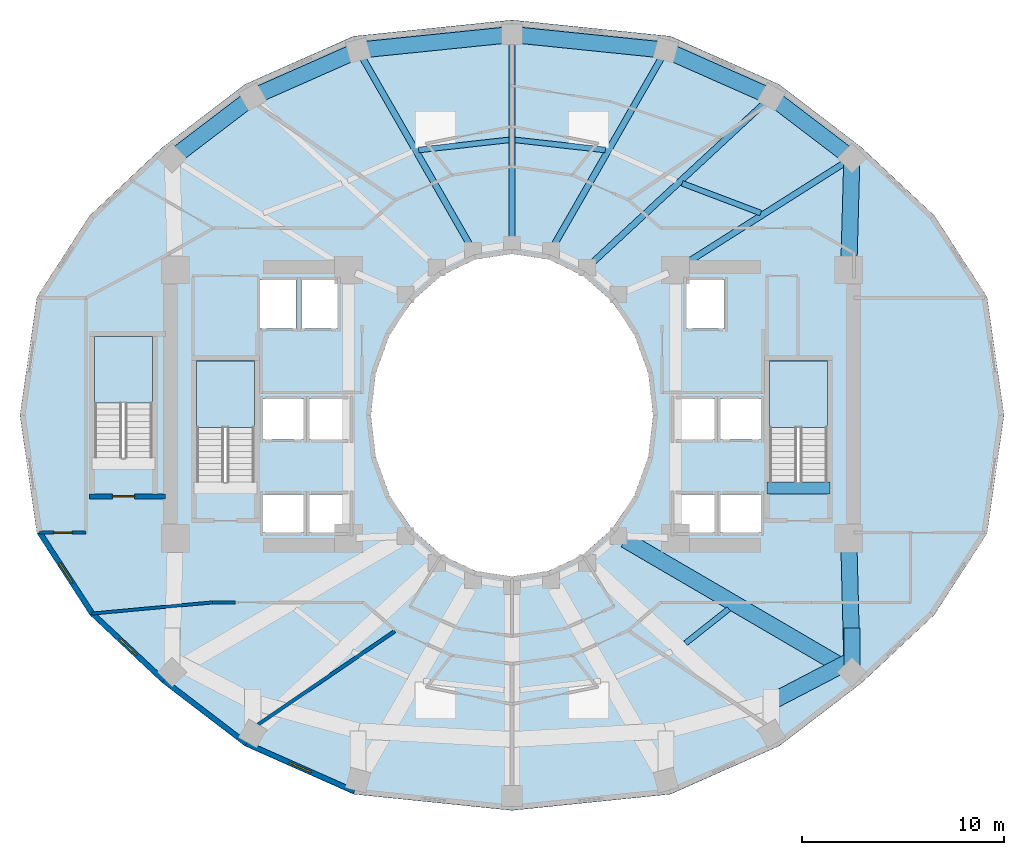
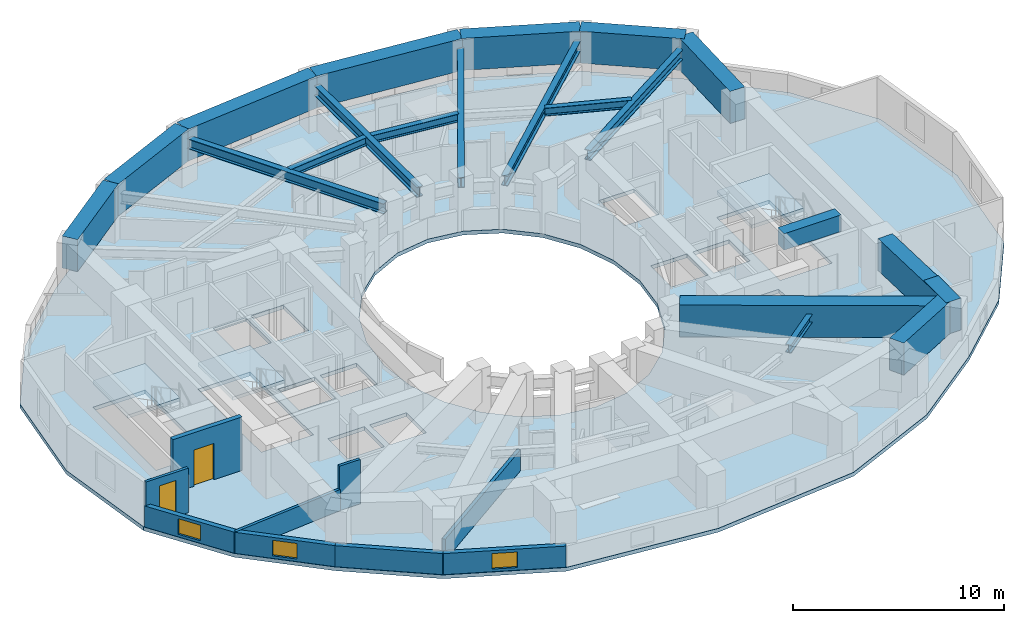
# One storey, part 2 of 9: 21 beams, 9 walls, 4 slabs, 3 windows, 2 doors, 5 openings, 3 elements without a shape of their own.
"""IFC4 building model written with IfcOpenShell, lengths in metres."""

from ifc_helpers import new_model, si_unit, direction, frame, frame_2d, origin, origin_2d, place, context, subcontext, project, spatial, polyline, rectangle, i_section, outline, extrude, material, layer, layer_set, material_profile, profile_set, type_object, element, fill, aggregate, save


model = new_model("IFC4")

# Units and contexts
model_context = context("Model", 3, precision=1e-05, world=origin(), true_north=direction((0.0, 1.0)))
body_context = subcontext(model_context, "Body", "Model", "MODEL_VIEW")
ifc_project = project(units=[si_unit("LENGTHUNIT", "METRE"), si_unit("AREAUNIT", "SQUARE_METRE"), si_unit("VOLUMEUNIT", "CUBIC_METRE"), si_unit("PLANEANGLEUNIT", "RADIAN"), si_unit("MASSUNIT", "GRAM", prefix="KILO")], contexts=[model_context])

# Site, building, storey
site_placement = place(None, origin())
site = spatial("IfcSite", under=ifc_project, at=site_placement, CompositionType="ELEMENT")
building_placement = place(site_placement, origin())
building = spatial("IfcBuilding", under=site, at=building_placement, Name="Solvane Sanctuary Tower", CompositionType="ELEMENT")
storey_placement = place(building_placement, frame((0.0, 0.0, 110.39990234375)))
storey = spatial("IfcBuildingStorey", under=building, at=storey_placement, Name="L33", CompositionType="ELEMENT", Elevation=110.39990234375)

# Beams
ifc_material_1 = material(Name="Concrete C70/85", Category="concrete")
ifc_material_profile_1 = material_profile(ifc_material_1, rectangle(XDim=0.60009765625, YDim=0.949951171875, at=origin_2d()), Name="RC600X950")
ifc_profile_set_1 = profile_set([ifc_material_profile_1], Name="Concrete C70/85")
beam_type_1 = type_object("IfcBeamType", Name="Beam B-COUPLE RC600X950", PredefinedType="LINTEL", material=ifc_profile_set_1)
beam_1_placement = place(storey_placement, frame((44.64990234375, 19.399169921875, 2.625), z_axis=(1.0, 0.0, 0.0), x_axis=(0.0, 1.0, 0.0)))
element("IfcBeam", 1, at=beam_1_placement, inside=storey, type_object=beam_type_1, Name="L33 ST-2 Stair Floor Landing Trimmer", PredefinedType="LINTEL", context=body_context, shape_type="SweptSolid", body=[
    extrude(rectangle(XDim=0.60009765625, YDim=0.949951171875, at=origin_2d()), origin(), (0.0, 0.0, 1.0), 3.1201171875),
])
ifc_material_2 = material(Name="Steel ASTM A992 Grade 50", Category="steel")
ifc_material_profile_2 = material_profile(ifc_material_2, i_section(OverallWidth=0.31494140625, OverallDepth=0.575927734375, WebThickness=0.01513671875, FlangeThickness=0.0244140625, FilletRadius=0.014892578125, at=origin_2d()), Name="W21X122")
ifc_profile_set_2 = profile_set([ifc_material_profile_2], Name="Steel ASTM A992 Grade 50")
beam_type_2 = type_object("IfcBeamType", Name="Beam B-RAD-Z2 W21X122", PredefinedType="BEAM", material=ifc_profile_set_2)
beam_2_placement = place(storey_placement, frame((40.404052734375, 30.392578125, 2.31005859375), z_axis=(0.844853889678, 0.534997107558, 0.0), x_axis=(-0.534997107558, 0.844853889678, 0.0)))
element("IfcBeam", 2, at=beam_2_placement, inside=storey, type_object=beam_type_2, Name="L33 Radial Composite Floor Beam 01", PredefinedType="BEAM", context=body_context, shape_type="SweptSolid", body=[
    extrude(i_section(OverallWidth=0.31494140625, OverallDepth=0.575927734375, WebThickness=0.01513671875, FlangeThickness=0.0244140625, FilletRadius=0.014892578125, at=origin_2d()), origin(), (0.0, 0.0, 1.0), 9.720458984375),
])
beam_3_placement = place(storey_placement, frame((35.935302734375, 30.516845703125, 2.31005859375), z_axis=(0.733453775248, 0.679739332078, 0.0), x_axis=(-0.679739332078, 0.733453775248, 0.0)))
element("IfcBeam", 3, at=beam_3_placement, inside=storey, type_object=beam_type_2, Name="L33 Radial Composite Floor Beam 02", PredefinedType="BEAM", context=body_context, shape_type="SweptSolid", body=[
    extrude(i_section(OverallWidth=0.31494140625, OverallDepth=0.575927734375, WebThickness=0.01513671875, FlangeThickness=0.0244140625, FilletRadius=0.014892578125, at=origin_2d()), origin(), (0.0, 0.0, 1.0), 11.885498046875),
])
beam_4_placement = place(storey_placement, frame((34.0703125, 31.41455078125, 2.31005859375), z_axis=(0.497792245326, 0.8672963049, 0.0), x_axis=(-0.8672963049, 0.497792245326, 0.0)))
element("IfcBeam", 4, at=beam_4_placement, inside=storey, type_object=beam_type_2, Name="L33 Radial Composite Floor Beam 03", PredefinedType="BEAM", context=body_context, shape_type="SweptSolid", body=[
    extrude(i_section(OverallWidth=0.31494140625, OverallDepth=0.575927734375, WebThickness=0.01513671875, FlangeThickness=0.0244140625, FilletRadius=0.014892578125, at=origin_2d()), origin(), (0.0, 0.0, 1.0), 10.887451171875),
])
beam_5_placement = place(storey_placement, frame((32.0, 31.739990234375, 2.31005859375), z_axis=(0.0, 1.0, 0.0), x_axis=(-1.0, 0.0, 0.0)))
element("IfcBeam", 5, at=beam_5_placement, inside=storey, type_object=beam_type_2, Name="L33 Radial Composite Floor Beam 04", PredefinedType="BEAM", context=body_context, shape_type="SweptSolid", body=[
    extrude(i_section(OverallWidth=0.31494140625, OverallDepth=0.575927734375, WebThickness=0.01513671875, FlangeThickness=0.0244140625, FilletRadius=0.014892578125, at=origin_2d()), origin(), (0.0, 0.0, 1.0), 9.860107421875),
])
beam_6_placement = place(storey_placement, frame((29.9296875, 31.41455078125, 2.31005859375), z_axis=(-0.497792245326, 0.8672963049, 0.0), x_axis=(-0.8672963049, -0.497792245326, 0.0)))
element("IfcBeam", 6, at=beam_6_placement, inside=storey, type_object=beam_type_2, Name="L33 Radial Composite Floor Beam 05", PredefinedType="BEAM", context=body_context, shape_type="SweptSolid", body=[
    extrude(i_section(OverallWidth=0.31494140625, OverallDepth=0.575927734375, WebThickness=0.01513671875, FlangeThickness=0.0244140625, FilletRadius=0.014892578125, at=origin_2d()), origin(), (0.0, 0.0, 1.0), 10.887451171875),
])
ifc_material_profile_3 = material_profile(ifc_material_2, i_section(OverallWidth=0.280029296875, OverallDepth=0.462890625, WebThickness=0.0107421875, FlangeThickness=0.017333984375, FilletRadius=0.013916015625, at=origin_2d()), Name="W18X76")
ifc_profile_set_3 = profile_set([ifc_material_profile_3], Name="Steel ASTM A992 Grade 50")
beam_type_3 = type_object("IfcBeamType", Name="Beam B-SEC-JOIST W18X76", PredefinedType="JOIST", material=ifc_profile_set_3)
for number, where, z_axis, x_axis, name in (
    (7, (27.37158203125, 36.15283203125, 2.36669921875), (0.993814804173, 0.111050146357, 0.0), (-0.111050146357, 0.993814804173, 0.0), "L33 Secondary Circumferential Joist 05-04"),
    (8, (32.151611328125, 36.653076171875, 2.36669921875), (0.993814804173, -0.111050146357, 0.0), (0.111050146357, 0.993814804173, 0.0), "L33 Secondary Circumferential Joist 04-03"),
):
    element("IfcBeam", number, at=place(storey_placement, frame(where, z_axis=z_axis, x_axis=x_axis)), inside=storey, type_object=beam_type_3, Name=name, PredefinedType="JOIST", context=body_context, shape_type="SweptSolid", body=[
        extrude(i_section(OverallWidth=0.280029296875, OverallDepth=0.462890625, WebThickness=0.0107421875, FlangeThickness=0.017333984375, FilletRadius=0.013916015625, at=origin_2d()), origin(), (0.0, 0.0, 1.0), 4.504638671875),
    ])
beam_7_placement = place(storey_placement, frame((40.436767578125, 34.50244140625, 2.36669921875), z_axis=(0.93509327646, -0.354401699091, 0.0), x_axis=(0.354401699091, 0.93509327646, 0.0)))
element("IfcBeam", 9, at=beam_7_placement, inside=storey, type_object=beam_type_3, Name="L33 Secondary Circumferential Joist 02-01", PredefinedType="JOIST", context=body_context, shape_type="SweptSolid", body=[
    extrude(i_section(OverallWidth=0.280029296875, OverallDepth=0.462890625, WebThickness=0.0107421875, FlangeThickness=0.017333984375, FilletRadius=0.013916015625, at=origin_2d()), origin(), (0.0, 0.0, 1.0), 4.167724609375),
])
beam_8_placement = place(storey_placement, frame((40.603759765625, 11.68896484375, 2.36669921875), z_axis=(0.783906859924, 0.620878438153, 0.0), x_axis=(-0.620878438153, 0.783906859924, 0.0)))
element("IfcBeam", 10, at=beam_8_placement, inside=storey, type_object=beam_type_3, Name="L33 Secondary Circumferential Joist 13-14", PredefinedType="JOIST", context=body_context, shape_type="SweptSolid", body=[
    extrude(i_section(OverallWidth=0.280029296875, OverallDepth=0.462890625, WebThickness=0.0107421875, FlangeThickness=0.017333984375, FilletRadius=0.013916015625, at=origin_2d()), origin(), (0.0, 0.0, 1.0), 2.743408203125),
])
ifc_material_profile_4 = material_profile(ifc_material_1, rectangle(XDim=0.800048828125, YDim=1.85009765625, at=origin_2d()), Name="RC800X1850")
ifc_profile_set_4 = profile_set([ifc_material_profile_4], Name="Concrete C70/85")
beam_type_4 = type_object("IfcBeamType", Name="Beam B-XFER-BLK RC800X1850", PredefinedType="BEAM", material=ifc_profile_set_4)
beam_9_placement = place(storey_placement, frame((37.6162109375, 16.818603515625, 2.175048828125), z_axis=(0.863561803877, -0.504243007771, 0.0), x_axis=(0.504243007771, 0.863561803877, 0.0)))
element("IfcBeam", 11, at=beam_9_placement, inside=storey, type_object=beam_type_4, Name="L33 Block-Shift Radial Transfer Girder 14A", PredefinedType="BEAM", context=body_context, shape_type="SweptSolid", body=[
    extrude(rectangle(XDim=0.800048828125, YDim=1.85009765625, at=origin_2d()), origin(), (0.0, 0.0, 1.0), 12.567138671875),
])
beam_10_placement = place(storey_placement, frame((48.85302734375, 10.30712890625, 2.175048828125), z_axis=(0.0, 1.0, 0.0), x_axis=(-1.0, 0.0, 0.0)))
element("IfcBeam", 12, at=beam_10_placement, inside=storey, type_object=beam_type_4, Name="L33 Block-Shift Transfer Tie 14B", PredefinedType="BEAM", context=body_context, shape_type="SweptSolid", body=[
    extrude(rectangle(XDim=0.800048828125, YDim=1.85009765625, at=origin_2d()), origin(), (0.0, 0.0, 1.0), 2.150146484375),
])
beam_11_placement = place(storey_placement, frame((15.14697265625, 35.742919921875, 2.175048828125), z_axis=(0.795461851464, 0.606003665719, 0.0), x_axis=(-0.606003665719, 0.795461851464, 0.0)))
element("IfcBeam", 13, at=beam_11_placement, inside=storey, type_object=beam_type_4, Name="L33 Perimeter Step Transfer Ring NTC07-NTC06", PredefinedType="BEAM", context=body_context, shape_type="SweptSolid", body=[
    extrude(rectangle(XDim=0.800048828125, YDim=1.85009765625, at=origin_2d()), origin(), (0.0, 0.0, 1.0), 5.021728515625),
])
beam_12_placement = place(storey_placement, frame((19.1416015625, 38.7861328125, 2.175048828125), z_axis=(0.914461816427, 0.404672196101, 0.0), x_axis=(-0.404672196101, 0.914461816427, 0.0)))
element("IfcBeam", 14, at=beam_12_placement, inside=storey, type_object=beam_type_4, Name="L33 Perimeter Step Transfer Ring NTC06-NTC05", PredefinedType="BEAM", context=body_context, shape_type="SweptSolid", body=[
    extrude(rectangle(XDim=0.800048828125, YDim=1.85009765625, at=origin_2d()), origin(), (0.0, 0.0, 1.0), 5.718017578125),
])
for number, where, z_axis, x_axis, name in (
    (15, (24.37060546875, 41.10009765625, 2.175048828125), (0.994817332657, 0.101678289936, 0.0), (-0.101678289936, 0.994817332657, 0.0), "L33 Perimeter Step Transfer Ring NTC05-NTC04"),
    (16, (32.0, 41.8798828125, 2.175048828125), (0.994817332657, -0.101678289936, 0.0), (0.101678289936, 0.994817332657, 0.0), "L33 Perimeter Step Transfer Ring NTC04-NTC03"),
):
    element("IfcBeam", number, at=place(storey_placement, frame(where, z_axis=z_axis, x_axis=x_axis)), inside=storey, type_object=beam_type_4, Name=name, PredefinedType="BEAM", context=body_context, shape_type="SweptSolid", body=[
        extrude(rectangle(XDim=0.800048828125, YDim=1.85009765625, at=origin_2d()), origin(), (0.0, 0.0, 1.0), 7.669189453125),
    ])
beam_13_placement = place(storey_placement, frame((39.62939453125, 41.10009765625, 2.175048828125), z_axis=(0.914461816427, -0.404672196101, 0.0), x_axis=(0.404672196101, 0.914461816427, 0.0)))
element("IfcBeam", 17, at=beam_13_placement, inside=storey, type_object=beam_type_4, Name="L33 Perimeter Step Transfer Ring NTC03-NTC02", PredefinedType="BEAM", context=body_context, shape_type="SweptSolid", body=[
    extrude(rectangle(XDim=0.800048828125, YDim=1.85009765625, at=origin_2d()), origin(), (0.0, 0.0, 1.0), 5.718017578125),
])
beam_14_placement = place(storey_placement, frame((44.8583984375, 38.7861328125, 2.175048828125), z_axis=(0.795461851464, -0.606003665719, 0.0), x_axis=(0.606003665719, 0.795461851464, 0.0)))
element("IfcBeam", 18, at=beam_14_placement, inside=storey, type_object=beam_type_4, Name="L33 Perimeter Step Transfer Ring NTC02-NTC01", PredefinedType="BEAM", context=body_context, shape_type="SweptSolid", body=[
    extrude(rectangle(XDim=0.800048828125, YDim=1.85009765625, at=origin_2d()), origin(), (0.0, 0.0, 1.0), 5.021728515625),
])
beam_15_placement = place(storey_placement, frame((48.85302734375, 35.742919921875, 2.175048828125), z_axis=(-0.027591940282, -0.999619269938, 0.0), x_axis=(0.999619269938, -0.027591940282, 0.0)))
element("IfcBeam", 19, at=beam_15_placement, inside=storey, type_object=beam_type_4, Name="L33 Perimeter Step Transfer Ring NTC01-CE3", PredefinedType="BEAM", context=body_context, shape_type="SweptSolid", body=[
    extrude(rectangle(XDim=0.800048828125, YDim=1.85009765625, at=origin_2d()), origin(), (0.0, 0.0, 1.0), 5.18505859375),
])
beam_16_placement = place(storey_placement, frame((44.8583984375, 8.782470703125, 2.175048828125), z_axis=(0.887022336415, 0.46172651505, 0.0), x_axis=(-0.46172651505, 0.887022336415, 0.0)))
element("IfcBeam", 20, at=beam_16_placement, inside=storey, type_object=beam_type_4, Name="L33 Perimeter Step Transfer Ring NTC13-NTC14", PredefinedType="BEAM", context=body_context, shape_type="SweptSolid", body=[
    extrude(rectangle(XDim=0.800048828125, YDim=1.85009765625, at=origin_2d()), origin(), (0.0, 0.0, 1.0), 4.50341796875),
])
beam_17_placement = place(storey_placement, frame((48.85302734375, 10.86181640625, 2.175048828125), z_axis=(-0.025359457149, 0.999678397252, 0.0), x_axis=(-0.999678397252, -0.025359457149, 0.0)))
element("IfcBeam", 21, at=beam_17_placement, inside=storey, type_object=beam_type_4, Name="L33 Perimeter Step Transfer Ring NTC14-CE2", PredefinedType="BEAM", context=body_context, shape_type="SweptSolid", body=[
    extrude(rectangle(XDim=0.800048828125, YDim=1.85009765625, at=origin_2d()), origin(), (0.0, 0.0, 1.0), 5.679931640625),
])

# Stair, slab
ifc_material_3 = material(Name="Concrete C45/55", Category="concrete")
stair_type = type_object("IfcStairType", Name="Stair ST-TOW", PredefinedType="HALF_TURN_STAIR", material=ifc_material_3)
stair_1_placement = place(storey_placement, origin())
stair_1 = element("IfcStair", 22, at=stair_1_placement, inside=storey, type_object=stair_type, Name="L33 Exit Stair ST-1 West Core", PredefinedType="HALF_TURN_STAIR")
ifc_layer_1 = layer(ifc_material_3, 0.199951171875, Name="Concrete C45/55")
ifc_layer_set_1 = layer_set([ifc_layer_1], Name="Concrete C45/55")
slab_type_1 = type_object("IfcSlabType", Name="Slab SL-LAND-180", PredefinedType="LANDING", material=ifc_layer_set_1)
slab_1_placement = place(storey_placement, frame((0.0, 0.0, 1.35009765625)))
slab_1 = element("IfcSlab", 23, at=slab_1_placement, type_object=slab_type_1, Name="ST-1 landing 1", PredefinedType="LANDING", context=body_context, shape_type="SweptSolid", body=[
    extrude(outline(polyline([(19.219970703125, 22.39990234375), (19.219970703125, 25.699951171875), (16.360107421875, 25.699951171875), (16.360107421875, 22.39990234375), (19.219970703125, 22.39990234375)])), origin(), (0.0, 0.0, 1.0), 0.199951171875),
])
aggregate(stair_1, [slab_1])

stair_2_placement = place(storey_placement, origin())
stair_2 = element("IfcStair", 24, at=stair_2_placement, inside=storey, type_object=stair_type, Name="L33 Exit Stair ST-2 East Core", PredefinedType="HALF_TURN_STAIR")
slab_2_placement = place(storey_placement, frame((0.0, 0.0, 1.35009765625)))
slab_2 = element("IfcSlab", 25, at=slab_2_placement, type_object=slab_type_1, Name="ST-2 landing 1", PredefinedType="LANDING", context=body_context, shape_type="SweptSolid", body=[
    extrude(outline(polyline([(47.639892578125, 22.39990234375), (47.639892578125, 25.699951171875), (44.780029296875, 25.699951171875), (44.780029296875, 22.39990234375), (47.639892578125, 22.39990234375)])), origin(), (0.0, 0.0, 1.0), 0.199951171875),
])
aggregate(stair_2, [slab_2])

stair_3_placement = place(storey_placement, origin())
stair_3 = element("IfcStair", 26, at=stair_3_placement, inside=storey, type_object=stair_type, Name="L33 Exit Stair ST-3 Pilgrim Tower Stair", PredefinedType="HALF_TURN_STAIR")
slab_3_placement = place(storey_placement, frame((0.0, 0.0, 1.35009765625)))
slab_3 = element("IfcSlab", 27, at=slab_3_placement, type_object=slab_type_1, Name="ST-3 landing 1", PredefinedType="LANDING", context=body_context, shape_type="SweptSolid", body=[
    extrude(outline(polyline([(14.159912109375, 23.60009765625), (14.159912109375, 26.89990234375), (11.300048828125, 26.89990234375), (11.300048828125, 23.60009765625), (14.159912109375, 23.60009765625)])), origin(), (0.0, 0.0, 1.0), 0.199951171875),
])
aggregate(stair_3, [slab_3])

# Slab
ifc_material_4 = material(Name="Concrete C50/60", Category="concrete")
ifc_layer_2 = layer(ifc_material_4, 0.219970703125, Name="Concrete C50/60")
ifc_layer_set_2 = layer_set([ifc_layer_2], Name="Concrete C50/60")
slab_type_2 = type_object("IfcSlabType", Name="Slab SL-TOW-250", PredefinedType="FLOOR", material=ifc_layer_set_2)
slab_4_placement = place(storey_placement, frame((0.0, 0.0, -0.219970703125)))
element("IfcSlab", 28, at=slab_4_placement, inside=storey, type_object=slab_type_2, Name="L33 Primary Structural Slab", PredefinedType="FLOOR", context=body_context, shape_type="SweptSolid", body=[
    extrude(outline(polyline([(56.39990234375, 23.0), (55.556884765625, 28.86376953125), (52.94091796875, 32.903076171875), (49.365478515625, 36.255126953125), (45.249267578125, 39.404296875), (39.861328125, 41.795166015625), (32.0, 42.60009765625), (24.138671875, 41.795166015625), (18.750732421875, 39.404296875), (14.634521484375, 36.255126953125), (11.05908203125, 32.903076171875), (8.443115234375, 28.86376953125), (7.60009765625, 23.0), (8.443115234375, 17.13623046875), (11.05908203125, 13.096923828125), (14.634521484375, 9.744873046875), (18.750732421875, 6.595703125), (24.138671875, 4.204833984375), (32.0, 3.39990234375), (39.861328125, 4.204833984375), (45.249267578125, 6.595703125), (49.365478515625, 9.744873046875), (52.94091796875, 13.096923828125), (55.556884765625, 17.13623046875), (56.39990234375, 23.0)]), holes=[polyline([(38.761474609375, 20.929443359375), (38.062255859375, 19.0), (36.94970703125, 17.343017578125), (35.5, 16.07177734375), (33.811767578125, 15.272705078125), (32.0, 15.0), (30.188232421875, 15.272705078125), (28.5, 16.07177734375), (27.05029296875, 17.343017578125), (25.937744140625, 19.0), (25.238525390625, 20.929443359375), (25.0, 23.0), (25.238525390625, 25.070556640625), (25.937744140625, 27.0), (27.05029296875, 28.656982421875), (28.5, 29.92822265625), (30.188232421875, 30.727294921875), (32.0, 31.0), (33.811767578125, 30.727294921875), (35.5, 29.92822265625), (36.94970703125, 28.656982421875), (38.062255859375, 27.0), (38.761474609375, 25.070556640625), (39.0, 23.0), (38.761474609375, 20.929443359375)]), polyline([(16.360107421875, 19.699951171875), (16.360107421875, 25.699951171875), (19.219970703125, 25.699951171875), (19.219970703125, 19.699951171875), (16.360107421875, 19.699951171875)]), polyline([(44.780029296875, 19.699951171875), (44.780029296875, 25.699951171875), (47.639892578125, 25.699951171875), (47.639892578125, 19.699951171875), (44.780029296875, 19.699951171875)]), polyline([(11.300048828125, 20.89990234375), (11.300048828125, 26.89990234375), (14.159912109375, 26.89990234375), (14.159912109375, 20.89990234375), (11.300048828125, 20.89990234375)]), polyline([(19.64990234375, 19.080078125), (21.64990234375, 19.080078125), (21.64990234375, 17.179931640625), (19.64990234375, 17.179931640625), (19.64990234375, 19.080078125)]), polyline([(21.949951171875, 19.080078125), (23.949951171875, 19.080078125), (23.949951171875, 17.179931640625), (21.949951171875, 17.179931640625), (21.949951171875, 19.080078125)]), polyline([(40.050048828125, 19.080078125), (42.050048828125, 19.080078125), (42.050048828125, 17.179931640625), (40.050048828125, 17.179931640625), (40.050048828125, 19.080078125)]), polyline([(42.35009765625, 19.080078125), (44.35009765625, 19.080078125), (44.35009765625, 17.179931640625), (42.35009765625, 17.179931640625), (42.35009765625, 19.080078125)]), polyline([(19.64990234375, 23.800048828125), (21.64990234375, 23.800048828125), (21.64990234375, 21.800048828125), (19.64990234375, 21.800048828125), (19.64990234375, 23.800048828125)]), polyline([(42.35009765625, 23.800048828125), (44.35009765625, 23.800048828125), (44.35009765625, 21.800048828125), (42.35009765625, 21.800048828125), (42.35009765625, 23.800048828125)]), polyline([(21.949951171875, 23.800048828125), (23.949951171875, 23.800048828125), (23.949951171875, 21.800048828125), (21.949951171875, 21.800048828125), (21.949951171875, 23.800048828125)]), polyline([(40.050048828125, 23.800048828125), (42.050048828125, 23.800048828125), (42.050048828125, 21.800048828125), (40.050048828125, 21.800048828125), (40.050048828125, 23.800048828125)]), polyline([(19.5, 29.699951171875), (21.300048828125, 29.699951171875), (21.300048828125, 27.300048828125), (19.5, 27.300048828125), (19.5, 29.699951171875)]), polyline([(21.550048828125, 29.699951171875), (23.35009765625, 29.699951171875), (23.35009765625, 27.300048828125), (21.550048828125, 27.300048828125), (21.550048828125, 29.699951171875)]), polyline([(40.64990234375, 29.699951171875), (42.550048828125, 29.699951171875), (42.550048828125, 27.300048828125), (40.64990234375, 27.300048828125), (40.64990234375, 29.699951171875)])]), origin(), (0.0, 0.0, 1.0), 0.219970703125),
])

# Wall, opening, door
ifc_material_5 = material(Name="Acoustic Gypsum Partition Board")
ifc_layer_3 = layer(ifc_material_5, 0.14990234375, Name="Acoustic Gypsum Partition Board")
ifc_layer_set_3 = layer_set([ifc_layer_3], Name="Acoustic Gypsum Partition Board")
wall_type_1 = type_object("IfcWallType", Name="Wall W-CORR-150", PredefinedType="PARTITIONING", material=ifc_layer_set_3)
wall_1_placement = place(storey_placement, frame((8.558349609375, 17.1748046875, 0.0), z_axis=(0.0, 0.0, 1.0), x_axis=(1.0, 0.0, 0.0)))
wall_1 = element("IfcWall", 29, at=wall_1_placement, inside=storey, type_object=wall_type_1, Name="L33 West Shoulder South Wall", PredefinedType="PARTITIONING", context=body_context, shape_type="SweptSolid", body=[
    extrude(rectangle(XDim=2.321533203125, YDim=0.14990234375, at=frame_2d((1.16064453125, 0.0))), origin(), (0.0, 0.0, 1.0), 2.5751953125),
])
opening_1_placement = place(wall_1_placement, frame((0.73095703125, 0.0, 0.0)))
opening_1 = element("IfcOpeningElement", 30, at=opening_1_placement, cuts=wall_1, Name="Opening D-L33-09", PredefinedType="OPENING", context=body_context, shape_type="SweptSolid", body=[
    extrude(rectangle(XDim=0.89990234375, YDim=2.10009765625, at=frame_2d((0.449951171875, 1.050048828125))), frame((0.0, 0.0849609375, 0.0), z_axis=(0.0, -1.0, 0.0), x_axis=(1.0, 0.0, 0.0)), (0.0, 0.0, 1.0), 0.169921875),
])
ifc_material_6 = material(Name="Engineered Tropical Hardwood", Category="wood")
door_type_1 = type_object("IfcDoorType", Name="Door D-WET-900", OperationType="NOTDEFINED", PredefinedType="DOOR", material=ifc_material_6)
door_1_placement = place(opening_1_placement, origin())
door_1 = element("IfcDoor", 31, at=door_1_placement, inside=storey, type_object=door_type_1, Name="L33 West Shoulder South Door", OperationType="SINGLE_SWING_RIGHT", OverallHeight=2.10009765625, OverallWidth=0.89990234375, PredefinedType="DOOR", context=body_context, shape_type="SweptSolid", body=[
    extrude(rectangle(XDim=0.89990234375, YDim=2.10009765625, at=frame_2d((0.449951171875, 1.050048828125))), frame((0.0, 0.02490234375, 0.0), z_axis=(0.0, -1.0, 0.0), x_axis=(1.0, 0.0, 0.0)), (0.0, 0.0, 1.0), 0.050048828125),
])
fill(opening_1, door_1)

# Walls
wall_2_placement = place(storey_placement, frame((17.14990234375, 13.719970703125, 0.0), z_axis=(0.0, 0.0, 1.0), x_axis=(1.0, 0.0, 0.0)))
element("IfcWall", 32, at=wall_2_placement, inside=storey, type_object=wall_type_1, Name="L33 SW Corner Corridor Wall", PredefinedType="PARTITIONING", context=body_context, shape_type="SweptSolid", body=[
    extrude(rectangle(XDim=1.14013671875, YDim=0.14990234375, at=frame_2d((0.570068359375, 0.0))), origin(), (0.0, 0.0, 1.0), 2.5751953125),
])
wall_3_placement = place(storey_placement, frame((17.249755859375, 13.724609375, 0.0), z_axis=(0.0, 0.0, 1.0), x_axis=(-0.995748209098, -0.092116795851, 0.0)))
element("IfcWall", 33, at=wall_3_placement, inside=storey, type_object=wall_type_1, Name="L33 SW Corner Wing Wall", PredefinedType="PARTITIONING", context=body_context, shape_type="SweptSolid", body=[
    extrude(rectangle(XDim=6.111572265625, YDim=0.14990234375, at=frame_2d((3.0556640625, 0.0))), origin(), (0.0, 0.0, 1.0), 1.22021484375),
])

# Wall, opening, window
ifc_material_7 = material(Name="Precast concrete C40/50", Category="concrete")
ifc_layer_4 = layer(ifc_material_7, 0.260009765625, Name="Precast concrete C40/50")
ifc_layer_set_4 = layer_set([ifc_layer_4], Name="Precast concrete C40/50")
wall_type_2 = type_object("IfcWallType", Name="Wall W-EXT-250", PredefinedType="STANDARD", material=ifc_layer_set_4)
wall_4_placement = place(storey_placement, frame((8.578125, 17.181396484375, 0.0), z_axis=(0.0, 0.0, 1.0), x_axis=(0.544388392991, -0.838833283541, 0.0)))
wall_4 = element("IfcWall", 34, at=wall_4_placement, inside=storey, type_object=wall_type_2, Name="L33 Ceramic-Printed Facade Wall 13", PredefinedType="STANDARD", context=body_context, shape_type="SweptSolid", body=[
    extrude(rectangle(XDim=4.7783203125, YDim=0.260009765625, at=frame_2d((2.38916015625, 0.0))), origin(), (0.0, 0.0, 1.0), 1.22021484375),
])
opening_2_placement = place(wall_4_placement, frame((1.7890625, 0.0, 0.14990234375)))
opening_2 = element("IfcOpeningElement", 35, at=opening_2_placement, cuts=wall_4, Name="Opening WN-OPER-1200", PredefinedType="OPENING", context=body_context, shape_type="SweptSolid", body=[
    extrude(rectangle(XDim=1.199951171875, YDim=0.89990234375, at=frame_2d((0.60009765625, 0.449951171875))), frame((0.0, 0.139892578125, 0.0), z_axis=(0.0, -1.0, 0.0), x_axis=(1.0, 0.0, 0.0)), (0.0, 0.0, 1.0), 0.280029296875),
])
ifc_material_8 = material(Name="Dark Ceramic-Fritted Low-E Glass", Category="glass")
window_type = type_object("IfcWindowType", Name="Window WN-OPER-1200", PartitioningType="SINGLE_PANEL", PredefinedType="WINDOW", material=ifc_material_8)
window_1_placement = place(opening_2_placement, origin())
window_1 = element("IfcWindow", 36, at=window_1_placement, inside=storey, type_object=window_type, Name="L33 Operable Facade Window 13", OverallHeight=0.89990234375, OverallWidth=1.199951171875, PartitioningType="SINGLE_PANEL", PredefinedType="WINDOW", context=body_context, shape_type="SweptSolid", body=[
    extrude(rectangle(XDim=1.199951171875, YDim=0.89990234375, at=frame_2d((0.60009765625, 0.449951171875))), frame((0.0, 0.030029296875, 0.0), z_axis=(0.0, -1.0, 0.0), x_axis=(1.0, 0.0, 0.0)), (0.0, 0.0, 1.0), 0.06005859375),
])
fill(opening_2, window_1)

wall_5_placement = place(storey_placement, frame((11.179443359375, 13.173095703125, 0.0), z_axis=(0.0, 0.0, 1.0), x_axis=(0.730162452258, -0.68327358599, 0.0)))
wall_5 = element("IfcWall", 37, at=wall_5_placement, inside=storey, type_object=wall_type_2, Name="L33 Ceramic-Printed Facade Wall 14", PredefinedType="STANDARD", context=body_context, shape_type="SweptSolid", body=[
    extrude(rectangle(XDim=4.868408203125, YDim=0.260009765625, at=frame_2d((2.43408203125, 0.0))), origin(), (0.0, 0.0, 1.0), 1.22021484375),
])
opening_3_placement = place(wall_5_placement, frame((1.834228515625, 0.0, 0.14990234375)))
opening_3 = element("IfcOpeningElement", 38, at=opening_3_placement, cuts=wall_5, Name="Opening WN-OPER-1200", PredefinedType="OPENING", context=body_context, shape_type="SweptSolid", body=[
    extrude(rectangle(XDim=1.199951171875, YDim=0.89990234375, at=frame_2d((0.60009765625, 0.449951171875))), frame((0.0, 0.139892578125, 0.0), z_axis=(0.0, -1.0, 0.0), x_axis=(1.0, 0.0, 0.0)), (0.0, 0.0, 1.0), 0.280029296875),
])
window_2_placement = place(opening_3_placement, origin())
window_2 = element("IfcWindow", 39, at=window_2_placement, inside=storey, type_object=window_type, Name="L33 Operable Facade Window 14", OverallHeight=0.89990234375, OverallWidth=1.199951171875, PartitioningType="SINGLE_PANEL", PredefinedType="WINDOW", context=body_context, shape_type="SweptSolid", body=[
    extrude(rectangle(XDim=1.199951171875, YDim=0.89990234375, at=frame_2d((0.60009765625, 0.449951171875))), frame((0.0, 0.030029296875, 0.0), z_axis=(0.0, -1.0, 0.0), x_axis=(1.0, 0.0, 0.0)), (0.0, 0.0, 1.0), 0.06005859375),
])
fill(opening_3, window_2)

# Wall
wall_6_placement = place(storey_placement, frame((14.734130859375, 9.8466796875, 0.0), z_axis=(0.0, 0.0, 1.0), x_axis=(0.794809810864, -0.606858603427, 0.0)))
element("IfcWall", 40, at=wall_6_placement, inside=storey, type_object=wall_type_2, Name="L33 Ceramic-Printed Facade Wall 15", PredefinedType="STANDARD", context=body_context, shape_type="SweptSolid", body=[
    extrude(rectangle(XDim=5.149169921875, YDim=0.260009765625, at=frame_2d((2.57470703125, 0.0))), origin(), (0.0, 0.0, 1.0), 1.22021484375),
])

# Wall, opening, window
wall_7_placement = place(storey_placement, frame((18.82666015625, 6.721923828125, 0.0), z_axis=(0.0, 0.0, 1.0), x_axis=(0.914336605747, -0.404955023911, 0.0)))
wall_7 = element("IfcWall", 41, at=wall_7_placement, inside=storey, type_object=wall_type_2, Name="L33 Ceramic-Printed Facade Wall 16", PredefinedType="STANDARD", context=body_context, shape_type="SweptSolid", body=[
    extrude(rectangle(XDim=5.85888671875, YDim=0.260009765625, at=frame_2d((2.929443359375, 0.0))), origin(), (0.0, 0.0, 1.0), 1.22021484375),
])
opening_4_placement = place(wall_7_placement, frame((2.329345703125, 0.0, 0.14990234375)))
opening_4 = element("IfcOpeningElement", 42, at=opening_4_placement, cuts=wall_7, Name="Opening WN-OPER-1200", PredefinedType="OPENING", context=body_context, shape_type="SweptSolid", body=[
    extrude(rectangle(XDim=1.199951171875, YDim=0.89990234375, at=frame_2d((0.60009765625, 0.449951171875))), frame((0.0, 0.139892578125, 0.0), z_axis=(0.0, -1.0, 0.0), x_axis=(1.0, 0.0, 0.0)), (0.0, 0.0, 1.0), 0.280029296875),
])
window_3_placement = place(opening_4_placement, origin())
window_3 = element("IfcWindow", 43, at=window_3_placement, inside=storey, type_object=window_type, Name="L33 Operable Facade Window 16", OverallHeight=0.89990234375, OverallWidth=1.199951171875, PartitioningType="SINGLE_PANEL", PredefinedType="WINDOW", context=body_context, shape_type="SweptSolid", body=[
    extrude(rectangle(XDim=1.199951171875, YDim=0.89990234375, at=frame_2d((0.60009765625, 0.449951171875))), frame((0.0, 0.030029296875, 0.0), z_axis=(0.0, -1.0, 0.0), x_axis=(1.0, 0.0, 0.0)), (0.0, 0.0, 1.0), 0.06005859375),
])
fill(opening_4, window_3)

# Wall, opening, door
ifc_layer_5 = layer(ifc_material_4, 0.25, Name="Concrete C50/60")
ifc_layer_set_5 = layer_set([ifc_layer_5], Name="Concrete C50/60")
wall_type_3 = type_object("IfcWallType", Name="Wall W-SHAFT-250", PredefinedType="SOLIDWALL", material=ifc_layer_set_5)
wall_8_placement = place(storey_placement, frame((11.044921875, 18.969970703125, 0.0), z_axis=(0.0, 0.0, 1.0), x_axis=(1.0, 0.0, 0.0)))
wall_8 = element("IfcWall", 44, at=wall_8_placement, inside=storey, type_object=wall_type_3, Name="L33 ST-3 Load-Bearing Shaft Wall S", PredefinedType="SOLIDWALL", context=body_context, shape_type="SweptSolid", body=[
    extrude(rectangle(XDim=3.781982421875, YDim=0.25, at=frame_2d((1.89111328125, 0.0))), origin(), (0.0, 0.0, 1.0), 3.10009765625),
])
opening_5_placement = place(wall_8_placement, frame((1.135009765625, 0.0, 0.0)))
opening_5 = element("IfcOpeningElement", 45, at=opening_5_placement, cuts=wall_8, Name="Opening D-L33-03", PredefinedType="OPENING", context=body_context, shape_type="SweptSolid", body=[
    extrude(rectangle(XDim=1.10009765625, YDim=2.10009765625, at=frame_2d((0.550048828125, 1.050048828125))), frame((0.0, 0.135009765625, 0.0), z_axis=(0.0, -1.0, 0.0), x_axis=(1.0, 0.0, 0.0)), (0.0, 0.0, 1.0), 0.27001953125),
])
ifc_material_9 = material(Name="Architectural Stainless Steel 316", Category="steel")
door_type_2 = type_object("IfcDoorType", Name="Door D-STAIR", OperationType="NOTDEFINED", PredefinedType="DOOR", material=ifc_material_9)
door_2_placement = place(opening_5_placement, origin())
door_2 = element("IfcDoor", 46, at=door_2_placement, inside=storey, type_object=door_type_2, Name="L33 ST-3 Exit Stair Fire Door", OperationType="SINGLE_SWING_LEFT", OverallHeight=2.10009765625, OverallWidth=1.10009765625, PredefinedType="DOOR", context=body_context, shape_type="SweptSolid", body=[
    extrude(rectangle(XDim=1.10009765625, YDim=2.10009765625, at=frame_2d((0.550048828125, 1.050048828125))), frame((0.0, 0.02490234375, 0.0), z_axis=(0.0, -1.0, 0.0), x_axis=(1.0, 0.0, 0.0)), (0.0, 0.0, 1.0), 0.050048828125),
])
fill(opening_5, door_2)

# Wall
ifc_layer_6 = layer(ifc_material_5, 0.179931640625, Name="Acoustic Gypsum Partition Board")
ifc_layer_set_6 = layer_set([ifc_layer_6], Name="Acoustic Gypsum Partition Board")
wall_type_4 = type_object("IfcWallType", Name="Wall W-UNIT-180", PredefinedType="PARTITIONING", material=ifc_layer_set_6)
wall_9_placement = place(storey_placement, frame((26.189697265625, 12.291015625, 0.0), z_axis=(0.0, 0.0, 1.0), x_axis=(-0.825850521911, -0.563889098546, 0.0)))
element("IfcWall", 47, at=wall_9_placement, inside=storey, type_object=wall_type_4, Name="L33 Radial Compartment Wall 240", PredefinedType="PARTITIONING", context=body_context, shape_type="SweptSolid", body=[
    extrude(rectangle(XDim=8.228271484375, YDim=0.179931640625, at=frame_2d((4.1142578125, 0.0))), origin(), (0.0, 0.0, 1.0), 1.22021484375),
])

save(model, "model.ifc")
